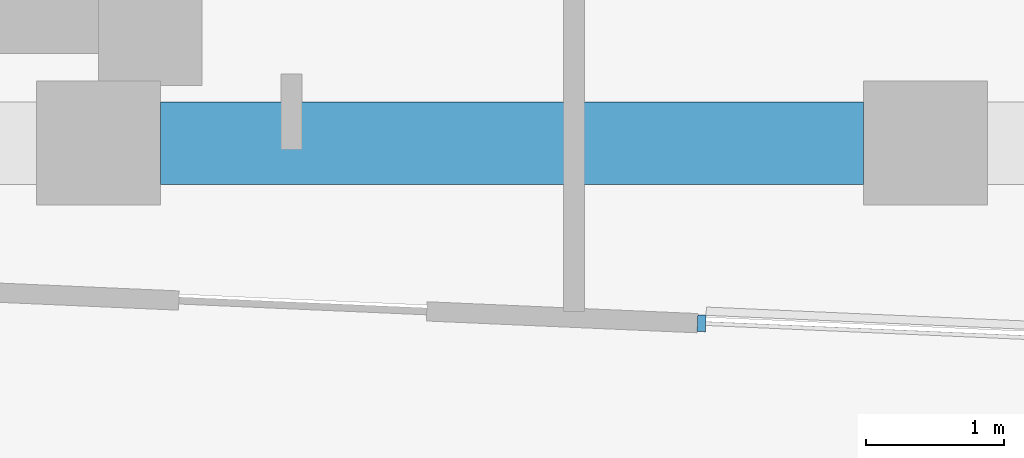
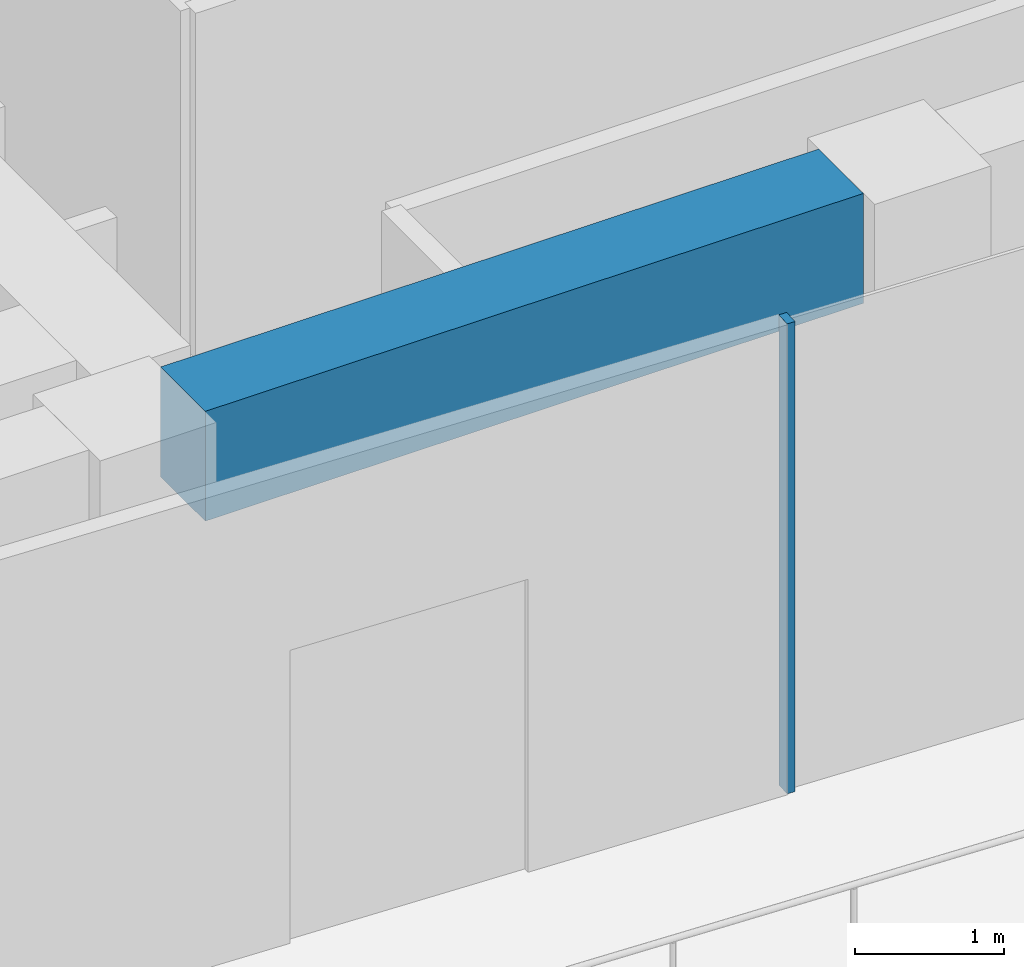
# One storey, part 3 of 25: 1 beam, 1 member, 1 element without a shape of its own.
"""IFC4 building model written with IfcOpenShell, lengths in metres."""

import ifcopenshell
import ifcopenshell.guid

model = None  # the IFC model being written
_history = None  # IfcOwnerHistory: only IFC2X3 demands one
_inside = {}  # id of a spatial element -> (the spatial element, [elements in it])
_under = {}  # id of a project, library or spatial element -> (it, [spatial elements below it])
_declared = {}  # id of a project -> (the project, [libraries it declares])
_typed = {}  # id of a type object -> (the type object, [elements of that type])
_made_of = {}  # id of a material, layer set ... -> (it, [elements and type objects made of it])


def new_model(schema):
    """Start an empty IFC model of exactly this schema.

    Asked for "IFC4X3", IfcOpenShell would pick the latest addendum, in which some entities
    have other attributes; the version numbers below select the first issue.
    IFC2X3 requires an IfcOwnerHistory on every rooted entity: one is made here for all.
    """
    global model, _history
    if schema == "IFC4X3":
        model = ifcopenshell.file(schema_version=(4, 3, 0, 0))
    else:
        model = ifcopenshell.file(schema=schema)
    _inside.clear()
    _under.clear()
    _declared.clear()
    _typed.clear()
    _made_of.clear()
    _history = None
    if model.schema == "IFC2X3":
        org = make("IfcOrganization", Name="unknown")
        user = make(
            "IfcPersonAndOrganization",
            ThePerson=make("IfcPerson", FamilyName="unknown"),
            TheOrganization=org,
        )
        app = make(
            "IfcApplication",
            ApplicationDeveloper=org,
            Version="unknown",
            ApplicationFullName="unknown",
            ApplicationIdentifier="unknown",
        )
        _history = make(
            "IfcOwnerHistory",
            OwningUser=user,
            OwningApplication=app,
            ChangeAction="ADDED",
            CreationDate=0,
        )
    return model


def make(cls, **values):
    """One entity of the class cls with the attributes given. An attribute that is None is left unset."""
    return model.create_entity(
        cls, **{name: value for name, value in values.items() if value is not None}
    )


def rooted(cls, **values):
    """An entity with a GlobalId (a new one), such as an element, a storey or a relation."""
    return make(cls, GlobalId=ifcopenshell.guid.new(), OwnerHistory=_history, **values)


def si_unit(unit_type, name, prefix=None):
    """IfcSIUnit, for example si_unit("LENGTHUNIT", "METRE", prefix="MILLI")."""
    return make("IfcSIUnit", UnitType=unit_type, Prefix=prefix, Name=name)


def assignment(units):
    """IfcUnitAssignment: the units of a project."""
    return None if units is None else make("IfcUnitAssignment", Units=units)


def point(xyz):
    """IfcCartesianPoint."""
    return None if xyz is None else make("IfcCartesianPoint", Coordinates=xyz)


def direction(xyz):
    """IfcDirection."""
    return None if xyz is None else make("IfcDirection", DirectionRatios=xyz)


def frame(location, z_axis=None, x_axis=None):
    """IfcAxis2Placement3D, a coordinate frame: its origin and axes. An axis left out is left unset."""
    return make(
        "IfcAxis2Placement3D",
        Location=point(location),
        Axis=direction(z_axis),
        RefDirection=direction(x_axis),
    )


def frame_2d(location, x_axis=None):
    """IfcAxis2Placement2D, a coordinate frame in the plane: its origin and x axis."""
    return make(
        "IfcAxis2Placement2D", Location=point(location), RefDirection=direction(x_axis)
    )


def origin():
    """The frame at (0, 0, 0) with its axes left unset."""
    return frame((0.0, 0.0, 0.0))


def origin_2d():
    """The frame at (0, 0) in the plane with its x axis left unset."""
    return frame_2d((0.0, 0.0))


def place(relative_to, where):
    """IfcLocalPlacement: puts the frame where relative to a parent placement (None: the world)."""
    return make(
        "IfcLocalPlacement", PlacementRelTo=relative_to, RelativePlacement=where
    )


def context(
    kind, dimensions, precision=None, world=None, true_north=None, identifier=None
):
    """IfcGeometricRepresentationContext, for example the 3D "Model" context."""
    return make(
        "IfcGeometricRepresentationContext",
        ContextIdentifier=identifier,
        ContextType=kind,
        CoordinateSpaceDimension=dimensions,
        Precision=precision,
        WorldCoordinateSystem=world,
        TrueNorth=true_north,
    )


def subcontext(parent, identifier, kind, view, scale=None):
    """IfcGeometricRepresentationSubContext, for example "Body" below "Model"."""
    return make(
        "IfcGeometricRepresentationSubContext",
        ContextIdentifier=identifier,
        ContextType=kind,
        ParentContext=parent,
        TargetScale=scale,
        TargetView=view,
    )


def project(units=None, contexts=None):
    """IfcProject with its units and contexts."""
    return rooted(
        "IfcProject",
        Name="project",
        RepresentationContexts=contexts,
        UnitsInContext=assignment(units),
    )


def spatial(cls, under=None, at=None, **own):
    """A site, building, storey or space (cls), placed at a placement, below another one or the project."""
    s = rooted(cls, ObjectPlacement=at, **own)
    if under is not None:
        _under.setdefault(under.id(), (under, []))[1].append(s)
    return s


def profile(cls, at=None, kind="AREA", **sizes):
    """A parametric profile (cls). Its sizes go by their IFC names, for example OverallWidth=200.0."""
    return make(cls, ProfileType=kind, Position=at, **sizes)


def rectangle(**sizes):
    """IfcRectangleProfileDef."""
    return profile("IfcRectangleProfileDef", **sizes)


def extrude(swept, where, along, depth):
    """IfcExtrudedAreaSolid: the profile swept, set in the frame where, extruded along a direction by depth."""
    return make(
        "IfcExtrudedAreaSolid",
        SweptArea=swept,
        Position=where,
        ExtrudedDirection=direction(along),
        Depth=depth,
    )


def shape(context_of_items, identifier, shape_type, items):
    """IfcShapeRepresentation: the items that make up one representation, for example the "Body"."""
    return make(
        "IfcShapeRepresentation",
        ContextOfItems=context_of_items,
        RepresentationIdentifier=identifier,
        RepresentationType=shape_type,
        Items=items,
    )


def material(Name=None, Category=None):
    """IfcMaterial."""
    return make("IfcMaterial", Name=Name, Category=Category)


def layer(
    of_material, thickness, ventilated=None, Name=None, Category=None, Priority=None
):
    """IfcMaterialLayer: one layer of a wall or slab, of a material (None: an air gap)."""
    return make(
        "IfcMaterialLayer",
        Material=of_material,
        LayerThickness=thickness,
        IsVentilated=ventilated,
        Name=Name,
        Category=Category,
        Priority=Priority,
    )


def layer_set(layers, Name=None):
    """IfcMaterialLayerSet."""
    return make("IfcMaterialLayerSet", MaterialLayers=layers, LayerSetName=Name)


def material_profile(
    of_material, cross_section, Name=None, Category=None, Priority=None
):
    """IfcMaterialProfile: a cross section and its material."""
    return make(
        "IfcMaterialProfile",
        Name=Name,
        Material=of_material,
        Profile=cross_section,
        Priority=Priority,
        Category=Category,
    )


def profile_set(profiles, Name=None, composite=None):
    """IfcMaterialProfileSet."""
    return make(
        "IfcMaterialProfileSet",
        Name=Name,
        MaterialProfiles=profiles,
        CompositeProfile=composite,
    )


def made_of(thing, what):
    """Note that an element or type object is made of a material, layer set ...; save() writes the relation."""
    if what is not None:
        _made_of.setdefault(what.id(), (what, []))[1].append(thing)
    return thing


def type_object(cls, material=None, **own):
    """A type object (cls), such as IfcWallType, which elements share."""
    return made_of(rooted(cls, **own), material)


def element(
    cls,
    number,
    at=None,
    inside=None,
    cuts=None,
    type_object=None,
    material=None,
    context=None,
    identifier="Body",
    shape_type=None,
    held_by="IfcProductDefinitionShape",
    body=None,
    shapes=None,
    **own,
):
    """One element of the class cls, such as IfcWall. Its Tag is "e" and its number.

    at: its placement. inside: the storey or other place that contains it. cuts: it is an
    opening in that element (IfcRelVoidsElement). A single representation is given by context,
    identifier, shape_type and body (its items); several are given by shapes. held_by: the class
    of the entity that holds the representations. save() writes the other relations.
    """
    e = rooted(cls, Tag="e%d" % number, ObjectPlacement=at, **own)
    if body is not None:
        shapes = [shape(context, identifier, shape_type, body)]
    if shapes is not None:
        e.Representation = make(held_by, Representations=shapes)
    if inside is not None:
        _inside.setdefault(inside.id(), (inside, []))[1].append(e)
    if cuts is not None:
        rooted(
            "IfcRelVoidsElement", RelatingBuildingElement=cuts, RelatedOpeningElement=e
        )
    if type_object is not None:
        _typed.setdefault(type_object.id(), (type_object, []))[1].append(e)
    return made_of(e, material)


def aggregate(whole, parts):
    """IfcRelAggregates: a whole, such as a stair, and the parts it consists of."""
    return rooted("IfcRelAggregates", RelatingObject=whole, RelatedObjects=parts)


def save(model, path):
    """Write the relations noted so far, then the file.

    IfcRelAggregates (storeys below a building ...), IfcRelContainedInSpatialStructure (elements
    in a storey), IfcRelDefinesByType, IfcRelAssociatesMaterial and IfcRelDeclares: one each for
    every whole, place, type object, material and project.
    """
    for whole, parts in _under.values():
        aggregate(whole, parts)
    for where, things in _inside.values():
        rooted(
            "IfcRelContainedInSpatialStructure",
            RelatedElements=things,
            RelatingStructure=where,
        )
    for kind, things in _typed.values():
        rooted("IfcRelDefinesByType", RelatedObjects=things, RelatingType=kind)
    for what, things in _made_of.values():
        rooted("IfcRelAssociatesMaterial", RelatedObjects=things, RelatingMaterial=what)
    for by, libraries in _declared.values():
        rooted("IfcRelDeclares", RelatingContext=by, RelatedDefinitions=libraries)
    model.write(path)


model = new_model("IFC4")

# Units and contexts
model_context = context("Model", 3, precision=1e-05, world=origin(), true_north=direction((0.0, 1.0)))
body_context = subcontext(model_context, "Body", "Model", "MODEL_VIEW")
ifc_project = project(units=[si_unit("LENGTHUNIT", "METRE"), si_unit("AREAUNIT", "SQUARE_METRE"), si_unit("VOLUMEUNIT", "CUBIC_METRE"), si_unit("PLANEANGLEUNIT", "RADIAN"), si_unit("MASSUNIT", "GRAM", prefix="KILO")], contexts=[model_context])

# Site, building, storey
site_placement = place(None, origin())
site = spatial("IfcSite", under=ifc_project, at=site_placement, CompositionType="ELEMENT")
building_placement = place(site_placement, origin())
building = spatial("IfcBuilding", under=site, at=building_placement, Name="Welwitschia Terrace Campus", CompositionType="ELEMENT")
storey_placement = place(building_placement, frame((0.0, 0.0, 121.39990234375)))
storey = spatial("IfcBuildingStorey", under=building, at=storey_placement, Name="L27", CompositionType="ELEMENT", Elevation=121.39990234375)

# Curtain wall, member
ifc_material_1 = material(Name="Bronze anodised aluminium", Category="aluminium")
ifc_layer = layer(ifc_material_1, 0.1201171875)
ifc_layer_set = layer_set([ifc_layer], Name="Bronze anodised aluminium")
curtain_wall_type = type_object("IfcCurtainWallType", Name="Curtain wall CW2 tower 6000", PredefinedType="NOTDEFINED", material=ifc_layer_set)
curtain_wall_placement = place(storey_placement, origin())
curtain_wall = element("IfcCurtainWall", 1, at=curtain_wall_placement, inside=storey, type_object=curtain_wall_type, Name="CW L27.3.1", PredefinedType="NOTDEFINED")
ifc_material_2 = material(Name="Bronze anodised aluminium", Category="aluminium")
ifc_material_profile_1 = material_profile(ifc_material_2, rectangle(XDim=0.1201171875, YDim=0.06005859375, at=origin_2d()))
ifc_profile_set_1 = profile_set([ifc_material_profile_1], Name="Bronze anodised aluminium")
member_type = type_object("IfcMemberType", Name="Mullion 60x120", PredefinedType="MULLION", material=ifc_profile_set_1)
member_placement = place(storey_placement, frame((28.375244140625, 2.692626953125, 0.0), z_axis=(0.0, 0.0, 1.0), x_axis=(0.043619387365, 0.999048221582, 0.0)))
member = element("IfcMember", 2, at=member_placement, type_object=member_type, Name="Mullion L27.3.1.0", PredefinedType="MULLION", context=body_context, shape_type="SweptSolid", body=[
    extrude(rectangle(XDim=0.1201171875, YDim=0.06005859375, at=origin_2d()), origin(), (0.0, 0.0, 1.0), 3.85009765625),
])
aggregate(curtain_wall, [member])

# Beam
ifc_material_3 = material(Name="Concrete C60/75", Category="concrete")
ifc_material_profile_2 = material_profile(ifc_material_3, rectangle(XDim=0.60009765625, YDim=0.89990234375, at=origin_2d()))
ifc_profile_set_2 = profile_set([ifc_material_profile_2], Name="Concrete C60/75")
beam_type = type_object("IfcBeamType", Name="Ring spandrel 600x900", PredefinedType="SPANDREL", material=ifc_profile_set_2)
beam_placement = place(storey_placement, frame((24.450439453125, 4.0, 3.400146484375), z_axis=(1.0, 0.0, 0.0), x_axis=(0.0, 1.0, 0.0)))
element("IfcBeam", 3, at=beam_placement, inside=storey, type_object=beam_type, Name="Spandrel SP2", PredefinedType="SPANDREL", context=body_context, shape_type="SweptSolid", body=[
    extrude(rectangle(XDim=0.60009765625, YDim=0.89990234375, at=origin_2d()), origin(), (0.0, 0.0, 1.0), 5.09912109375),
])

save(model, "model.ifc")
